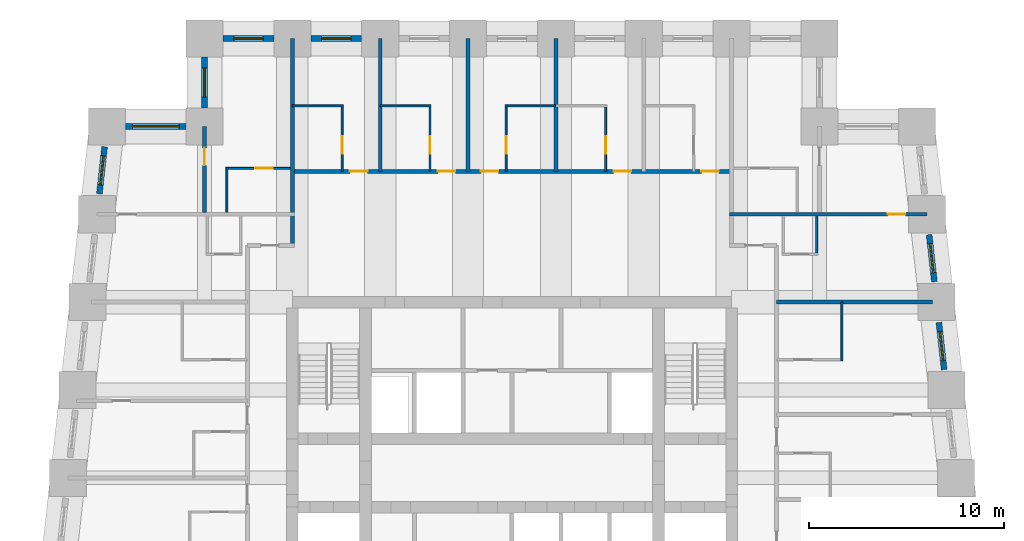
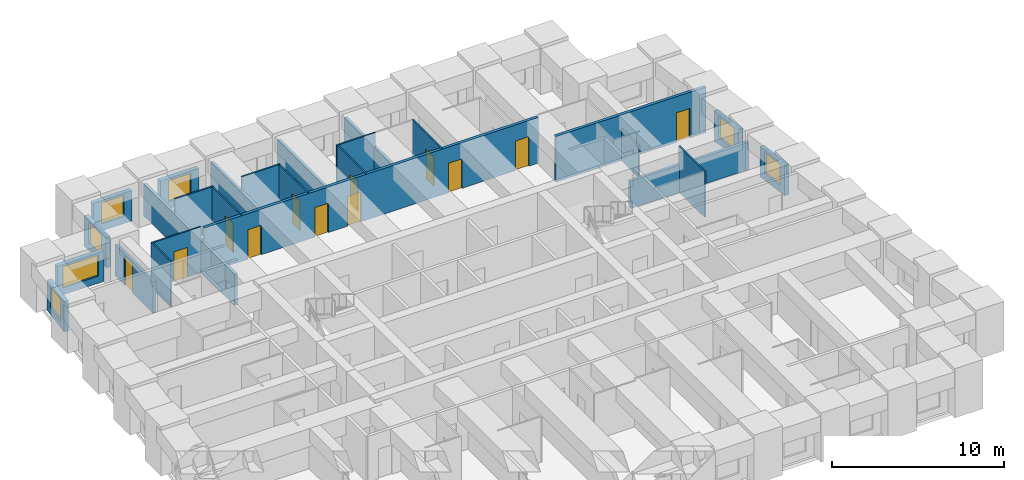
# One storey, part 6 of 8: 26 walls, 12 doors, 7 windows, 19 openings.
"""IFC4 building model written with IfcOpenShell, lengths in metres."""

from ifc_helpers import new_model, si_unit, direction, frame, frame_2d, origin, place, context, subcontext, project, spatial, rectangle, extrude, material, layer, layer_set, type_object, element, fill, save


model = new_model("IFC4")

# Units and contexts
model_context = context("Model", 3, precision=1e-05, world=origin(), true_north=direction((0.0, 1.0)))
body_context = subcontext(model_context, "Body", "Model", "MODEL_VIEW")
ifc_project = project(units=[si_unit("LENGTHUNIT", "METRE"), si_unit("AREAUNIT", "SQUARE_METRE"), si_unit("VOLUMEUNIT", "CUBIC_METRE"), si_unit("PLANEANGLEUNIT", "RADIAN"), si_unit("MASSUNIT", "GRAM", prefix="KILO")], contexts=[model_context])

# Site, building, storey
site_placement = place(None, origin())
site = spatial("IfcSite", under=ifc_project, at=site_placement, CompositionType="ELEMENT")
building_placement = place(site_placement, origin())
building = spatial("IfcBuilding", under=site, at=building_placement, Name="Kilele Tower Hotel", CompositionType="ELEMENT")
storey_placement = place(building_placement, frame((0.0, 0.0, 89.89990234375)))
storey = spatial("IfcBuildingStorey", under=building, at=storey_placement, Name="L22", CompositionType="ELEMENT", Elevation=89.89990234375)

# Walls
ifc_material_1 = material(Name="Moisture-resistant board")
ifc_layer_1 = layer(ifc_material_1, 0.10009765625)
ifc_layer_set_1 = layer_set([ifc_layer_1], Name="Moisture-resistant board")
wall_type_1 = type_object("IfcWallType", Name="Bathroom partition 100", PredefinedType="PLUMBINGWALL", material=ifc_layer_set_1)
wall_1_placement = place(storey_placement, frame((41.64990234375, 24.0, 0.0), z_axis=(0.0, 0.0, 1.0), x_axis=(0.0, 1.0, 0.0)))
element("IfcWall", 1, at=wall_1_placement, inside=storey, type_object=wall_type_1, Name="Bathroom partition 100 L22", PredefinedType="PLUMBINGWALL", context=body_context, shape_type="SweptSolid", body=[
    extrude(rectangle(XDim=3.0, YDim=0.10009765625, at=frame_2d((1.5, 0.0))), origin(), (0.0, 0.0, 1.0), 3.25),
])
wall_2_placement = place(storey_placement, frame((13.5, 37.050048828125, 0.0), z_axis=(0.0, 0.0, 1.0), x_axis=(1.0, 0.0, 0.0)))
element("IfcWall", 2, at=wall_2_placement, inside=storey, type_object=wall_type_1, Name="Bathroom partition 100 L22", PredefinedType="PLUMBINGWALL", context=body_context, shape_type="SweptSolid", body=[
    extrude(rectangle(XDim=2.60009765625, YDim=0.10009765625, at=frame_2d((1.300048828125, 0.0))), origin(), (0.0, 0.0, 1.0), 3.25),
])

# Wall, opening, door
wall_3_placement = place(storey_placement, frame((16.050048828125, 33.699951171875, 0.0), z_axis=(0.0, 0.0, 1.0), x_axis=(0.0, 1.0, 0.0)))
wall_3 = element("IfcWall", 3, at=wall_3_placement, inside=storey, type_object=wall_type_1, Name="Bathroom partition 100 L22", PredefinedType="PLUMBINGWALL", context=body_context, shape_type="SweptSolid", body=[
    extrude(rectangle(XDim=3.400146484375, YDim=0.10009765625, at=frame_2d((1.7001953125, 0.0))), origin(), (0.0, 0.0, 1.0), 3.25),
])
opening_1_placement = place(wall_3_placement, frame((1.7998046875, 0.0, 0.0), z_axis=(0.0, 0.0, 1.0), x_axis=(-1.0, 0.0, 0.0)))
opening_1 = element("IfcOpeningElement", 4, at=opening_1_placement, cuts=wall_3, Name="Opening D2A", PredefinedType="OPENING", context=body_context, shape_type="SweptSolid", body=[
    extrude(rectangle(XDim=0.89990234375, YDim=2.10009765625, at=frame_2d((0.449951171875, 1.050048828125))), frame((0.0, 0.06005859375, 0.0), z_axis=(0.0, -1.0, 0.0), x_axis=(1.0, 0.0, 0.0)), (0.0, 0.0, 1.0), 0.1201171875),
])
ifc_material_2 = material(Name="Timber door leaf in hardwood frame", Category="wood")
door_type_1 = type_object("IfcDoorType", Name="Bathroom door 900", OperationType="SINGLE_SWING_LEFT", PredefinedType="DOOR", material=ifc_material_2)
door_1_placement = place(opening_1_placement, origin())
door_1 = element("IfcDoor", 5, at=door_1_placement, inside=storey, type_object=door_type_1, Name="Bathroom door 2209B", OperationType="SINGLE_SWING_RIGHT", OverallHeight=2.10009765625, OverallWidth=0.89990234375, PredefinedType="DOOR", context=body_context, shape_type="SweptSolid", body=[
    extrude(rectangle(XDim=0.89990234375, YDim=2.10009765625, at=frame_2d((0.449951171875, 1.050048828125))), frame((0.0, 0.02490234375, 0.0), z_axis=(0.0, -1.0, 0.0), x_axis=(1.0, 0.0, 0.0)), (0.0, 0.0, 1.0), 0.050048828125),
])
fill(opening_1, door_1)

# Wall
wall_4_placement = place(storey_placement, frame((18.0, 37.050048828125, 0.0), z_axis=(0.0, 0.0, 1.0), x_axis=(1.0, 0.0, 0.0)))
element("IfcWall", 6, at=wall_4_placement, inside=storey, type_object=wall_type_1, Name="Bathroom partition 100 L22", PredefinedType="PLUMBINGWALL", context=body_context, shape_type="SweptSolid", body=[
    extrude(rectangle(XDim=2.60009765625, YDim=0.10009765625, at=frame_2d((1.300048828125, 0.0))), origin(), (0.0, 0.0, 1.0), 3.25),
])

# Wall, opening, door
wall_5_placement = place(storey_placement, frame((20.550048828125, 33.699951171875, 0.0), z_axis=(0.0, 0.0, 1.0), x_axis=(0.0, 1.0, 0.0)))
wall_5 = element("IfcWall", 7, at=wall_5_placement, inside=storey, type_object=wall_type_1, Name="Bathroom partition 100 L22", PredefinedType="PLUMBINGWALL", context=body_context, shape_type="SweptSolid", body=[
    extrude(rectangle(XDim=3.400146484375, YDim=0.10009765625, at=frame_2d((1.7001953125, 0.0))), origin(), (0.0, 0.0, 1.0), 3.25),
])
opening_2_placement = place(wall_5_placement, frame((1.7998046875, 0.0, 0.0), z_axis=(0.0, 0.0, 1.0), x_axis=(-1.0, 0.0, 0.0)))
opening_2 = element("IfcOpeningElement", 8, at=opening_2_placement, cuts=wall_5, Name="Opening D2A", PredefinedType="OPENING", context=body_context, shape_type="SweptSolid", body=[
    extrude(rectangle(XDim=0.89990234375, YDim=2.10009765625, at=frame_2d((0.449951171875, 1.050048828125))), frame((0.0, 0.06005859375, 0.0), z_axis=(0.0, -1.0, 0.0), x_axis=(1.0, 0.0, 0.0)), (0.0, 0.0, 1.0), 0.1201171875),
])
door_2_placement = place(opening_2_placement, origin())
door_2 = element("IfcDoor", 9, at=door_2_placement, inside=storey, type_object=door_type_1, Name="Bathroom door 2210B", OperationType="SINGLE_SWING_RIGHT", OverallHeight=2.10009765625, OverallWidth=0.89990234375, PredefinedType="DOOR", context=body_context, shape_type="SweptSolid", body=[
    extrude(rectangle(XDim=0.89990234375, YDim=2.10009765625, at=frame_2d((0.449951171875, 1.050048828125))), frame((0.0, 0.02490234375, 0.0), z_axis=(0.0, -1.0, 0.0), x_axis=(1.0, 0.0, 0.0)), (0.0, 0.0, 1.0), 0.050048828125),
])
fill(opening_2, door_2)

# Wall
wall_6_placement = place(storey_placement, frame((24.39990234375, 37.050048828125, 0.0), z_axis=(0.0, 0.0, 1.0), x_axis=(1.0, 0.0, 0.0)))
element("IfcWall", 10, at=wall_6_placement, inside=storey, type_object=wall_type_1, Name="Bathroom partition 100 L22", PredefinedType="PLUMBINGWALL", context=body_context, shape_type="SweptSolid", body=[
    extrude(rectangle(XDim=2.60009765625, YDim=0.10009765625, at=frame_2d((1.300048828125, 0.0))), origin(), (0.0, 0.0, 1.0), 3.25),
])

# Wall, opening, door
wall_7_placement = place(storey_placement, frame((24.449951171875, 33.699951171875, 0.0), z_axis=(0.0, 0.0, 1.0), x_axis=(0.0, 1.0, 0.0)))
wall_7 = element("IfcWall", 11, at=wall_7_placement, inside=storey, type_object=wall_type_1, Name="Bathroom partition 100 L22", PredefinedType="PLUMBINGWALL", context=body_context, shape_type="SweptSolid", body=[
    extrude(rectangle(XDim=3.400146484375, YDim=0.10009765625, at=frame_2d((1.7001953125, 0.0))), origin(), (0.0, 0.0, 1.0), 3.25),
])
opening_3_placement = place(wall_7_placement, frame((0.89990234375, 0.0, 0.0)))
opening_3 = element("IfcOpeningElement", 12, at=opening_3_placement, cuts=wall_7, Name="Opening D2A", PredefinedType="OPENING", context=body_context, shape_type="SweptSolid", body=[
    extrude(rectangle(XDim=0.89990234375, YDim=2.10009765625, at=frame_2d((0.449951171875, 1.050048828125))), frame((0.0, 0.06005859375, 0.0), z_axis=(0.0, -1.0, 0.0), x_axis=(1.0, 0.0, 0.0)), (0.0, 0.0, 1.0), 0.1201171875),
])
door_3_placement = place(opening_3_placement, origin())
door_3 = element("IfcDoor", 13, at=door_3_placement, inside=storey, type_object=door_type_1, Name="Bathroom door 2211B", OperationType="SINGLE_SWING_LEFT", OverallHeight=2.10009765625, OverallWidth=0.89990234375, PredefinedType="DOOR", context=body_context, shape_type="SweptSolid", body=[
    extrude(rectangle(XDim=0.89990234375, YDim=2.10009765625, at=frame_2d((0.449951171875, 1.050048828125))), frame((0.0, 0.02490234375, 0.0), z_axis=(0.0, -1.0, 0.0), x_axis=(1.0, 0.0, 0.0)), (0.0, 0.0, 1.0), 0.050048828125),
])
fill(opening_3, door_3)

wall_8_placement = place(storey_placement, frame((29.550048828125, 33.699951171875, 0.0), z_axis=(0.0, 0.0, 1.0), x_axis=(0.0, 1.0, 0.0)))
wall_8 = element("IfcWall", 14, at=wall_8_placement, inside=storey, type_object=wall_type_1, Name="Bathroom partition 100 L22", PredefinedType="PLUMBINGWALL", context=body_context, shape_type="SweptSolid", body=[
    extrude(rectangle(XDim=3.400146484375, YDim=0.10009765625, at=frame_2d((1.7001953125, 0.0))), origin(), (0.0, 0.0, 1.0), 3.25),
])
opening_4_placement = place(wall_8_placement, frame((1.7998046875, 0.0, 0.0), z_axis=(0.0, 0.0, 1.0), x_axis=(-1.0, 0.0, 0.0)))
opening_4 = element("IfcOpeningElement", 15, at=opening_4_placement, cuts=wall_8, Name="Opening D2A", PredefinedType="OPENING", context=body_context, shape_type="SweptSolid", body=[
    extrude(rectangle(XDim=0.89990234375, YDim=2.10009765625, at=frame_2d((0.449951171875, 1.050048828125))), frame((0.0, 0.06005859375, 0.0), z_axis=(0.0, -1.0, 0.0), x_axis=(1.0, 0.0, 0.0)), (0.0, 0.0, 1.0), 0.1201171875),
])
door_4_placement = place(opening_4_placement, origin())
door_4 = element("IfcDoor", 16, at=door_4_placement, inside=storey, type_object=door_type_1, Name="Bathroom door 2212B", OperationType="SINGLE_SWING_RIGHT", OverallHeight=2.10009765625, OverallWidth=0.89990234375, PredefinedType="DOOR", context=body_context, shape_type="SweptSolid", body=[
    extrude(rectangle(XDim=0.89990234375, YDim=2.10009765625, at=frame_2d((0.449951171875, 1.050048828125))), frame((0.0, 0.02490234375, 0.0), z_axis=(0.0, -1.0, 0.0), x_axis=(1.0, 0.0, 0.0)), (0.0, 0.0, 1.0), 0.050048828125),
])
fill(opening_4, door_4)

# Walls
wall_9_placement = place(storey_placement, frame((40.35009765625, 31.39990234375, 0.0), z_axis=(0.0, 0.0, 1.0), x_axis=(0.0, -1.0, 0.0)))
element("IfcWall", 17, at=wall_9_placement, inside=storey, type_object=wall_type_1, Name="Bathroom partition 100 L22", PredefinedType="PLUMBINGWALL", context=body_context, shape_type="SweptSolid", body=[
    extrude(rectangle(XDim=2.0, YDim=0.10009765625, at=frame_2d((1.0, 0.0))), origin(), (0.0, 0.0, 1.0), 2.25),
])
wall_10_placement = place(storey_placement, frame((10.14990234375, 31.60009765625, 0.0), z_axis=(0.0, 0.0, 1.0), x_axis=(0.0, 1.0, 0.0)))
element("IfcWall", 18, at=wall_10_placement, inside=storey, type_object=wall_type_1, Name="Bathroom partition 100 L22", PredefinedType="PLUMBINGWALL", context=body_context, shape_type="SweptSolid", body=[
    extrude(rectangle(XDim=2.2998046875, YDim=0.10009765625, at=frame_2d((1.14990234375, 0.0))), origin(), (0.0, 0.0, 1.0), 3.25),
])

# Wall, opening, door
wall_11_placement = place(storey_placement, frame((13.39990234375, 33.85009765625, 0.0), z_axis=(0.0, 0.0, 1.0), x_axis=(-1.0, 0.0, 0.0)))
wall_11 = element("IfcWall", 19, at=wall_11_placement, inside=storey, type_object=wall_type_1, Name="Bathroom partition 100 L22", PredefinedType="PLUMBINGWALL", context=body_context, shape_type="SweptSolid", body=[
    extrude(rectangle(XDim=3.2998046875, YDim=0.10009765625, at=frame_2d((1.64990234375, 0.0))), origin(), (0.0, 0.0, 1.0), 3.25),
])
opening_5_placement = place(wall_11_placement, frame((1.7998046875, 0.0, 0.0), z_axis=(0.0, 0.0, 1.0), x_axis=(-1.0, 0.0, 0.0)))
opening_5 = element("IfcOpeningElement", 20, at=opening_5_placement, cuts=wall_11, Name="Opening D2A", PredefinedType="OPENING", context=body_context, shape_type="SweptSolid", body=[
    extrude(rectangle(XDim=0.89990234375, YDim=2.10009765625, at=frame_2d((0.449951171875, 1.050048828125))), frame((0.0, 0.06005859375, 0.0), z_axis=(0.0, -1.0, 0.0), x_axis=(1.0, 0.0, 0.0)), (0.0, 0.0, 1.0), 0.1201171875),
])
door_5_placement = place(opening_5_placement, origin())
door_5 = element("IfcDoor", 21, at=door_5_placement, inside=storey, type_object=door_type_1, Name="Bathroom door 2227B", OperationType="SINGLE_SWING_RIGHT", OverallHeight=2.10009765625, OverallWidth=0.89990234375, PredefinedType="DOOR", context=body_context, shape_type="SweptSolid", body=[
    extrude(rectangle(XDim=0.89990234375, YDim=2.10009765625, at=frame_2d((0.449951171875, 1.050048828125))), frame((0.0, 0.02490234375, 0.0), z_axis=(0.0, -1.0, 0.0), x_axis=(1.0, 0.0, 0.0)), (0.0, 0.0, 1.0), 0.050048828125),
])
fill(opening_5, door_5)

# Wall, openings, doors
ifc_material_3 = material(Name="Blockwork, plastered both sides", Category="masonry")
ifc_layer_2 = layer(ifc_material_3, 0.199951171875)
ifc_layer_set_2 = layer_set([ifc_layer_2], Name="Blockwork, plastered both sides")
wall_type_2 = type_object("IfcWallType", Name="Corridor wall 200", PredefinedType="PARTITIONING", material=ifc_layer_set_2)
wall_12_placement = place(storey_placement, frame((13.5, 33.699951171875, 0.0), z_axis=(0.0, 0.0, 1.0), x_axis=(1.0, 0.0, 0.0)))
wall_12 = element("IfcWall", 22, at=wall_12_placement, inside=storey, type_object=wall_type_2, Name="Corridor wall 200 L22", PredefinedType="PARTITIONING", context=body_context, shape_type="SweptSolid", body=[
    extrude(rectangle(XDim=22.5, YDim=0.199951171875, at=frame_2d((11.25, 0.0))), origin(), (0.0, 0.0, 1.0), 3.25),
])
opening_6_placement = place(wall_12_placement, frame((2.949951171875, 0.0, 0.0)))
opening_6 = element("IfcOpeningElement", 23, at=opening_6_placement, cuts=wall_12, Name="Opening D1", PredefinedType="OPENING", context=body_context, shape_type="SweptSolid", body=[
    extrude(rectangle(XDim=0.89990234375, YDim=2.10009765625, at=frame_2d((0.449951171875, 1.050048828125))), frame((0.0, 0.10986328125, 0.0), z_axis=(0.0, -1.0, 0.0), x_axis=(1.0, 0.0, 0.0)), (0.0, 0.0, 1.0), 0.219970703125),
])
opening_7_placement = place(wall_12_placement, frame((7.449951171875, 0.0, 0.0)))
opening_7 = element("IfcOpeningElement", 24, at=opening_7_placement, cuts=wall_12, Name="Opening D1", PredefinedType="OPENING", context=body_context, shape_type="SweptSolid", body=[
    extrude(rectangle(XDim=0.89990234375, YDim=2.10009765625, at=frame_2d((0.449951171875, 1.050048828125))), frame((0.0, 0.10986328125, 0.0), z_axis=(0.0, -1.0, 0.0), x_axis=(1.0, 0.0, 0.0)), (0.0, 0.0, 1.0), 0.219970703125),
])
opening_8_placement = place(wall_12_placement, frame((9.64990234375, 0.0, 0.0)))
opening_8 = element("IfcOpeningElement", 25, at=opening_8_placement, cuts=wall_12, Name="Opening D1", PredefinedType="OPENING", context=body_context, shape_type="SweptSolid", body=[
    extrude(rectangle(XDim=0.89990234375, YDim=2.10009765625, at=frame_2d((0.449951171875, 1.050048828125))), frame((0.0, 0.10986328125, 0.0), z_axis=(0.0, -1.0, 0.0), x_axis=(1.0, 0.0, 0.0)), (0.0, 0.0, 1.0), 0.219970703125),
])
opening_9_placement = place(wall_12_placement, frame((16.449951171875, 0.0, 0.0)))
opening_9 = element("IfcOpeningElement", 26, at=opening_9_placement, cuts=wall_12, Name="Opening D1", PredefinedType="OPENING", context=body_context, shape_type="SweptSolid", body=[
    extrude(rectangle(XDim=0.89990234375, YDim=2.10009765625, at=frame_2d((0.449951171875, 1.050048828125))), frame((0.0, 0.10986328125, 0.0), z_axis=(0.0, -1.0, 0.0), x_axis=(1.0, 0.0, 0.0)), (0.0, 0.0, 1.0), 0.219970703125),
])
opening_10_placement = place(wall_12_placement, frame((20.949951171875, 0.0, 0.0)))
opening_10 = element("IfcOpeningElement", 27, at=opening_10_placement, cuts=wall_12, Name="Opening D1", PredefinedType="OPENING", context=body_context, shape_type="SweptSolid", body=[
    extrude(rectangle(XDim=0.89990234375, YDim=2.10009765625, at=frame_2d((0.449951171875, 1.050048828125))), frame((0.0, 0.10986328125, 0.0), z_axis=(0.0, -1.0, 0.0), x_axis=(1.0, 0.0, 0.0)), (0.0, 0.0, 1.0), 0.219970703125),
])
ifc_material_4 = material(Name="Timber door leaf in hardwood frame", Category="wood")
door_type_2 = type_object("IfcDoorType", Name="Guest room entrance door 900", OperationType="SINGLE_SWING_LEFT", PredefinedType="DOOR", material=ifc_material_4)
door_6_placement = place(opening_6_placement, origin())
door_6 = element("IfcDoor", 28, at=door_6_placement, inside=storey, type_object=door_type_2, Name="Room entrance 2209", OperationType="SINGLE_SWING_LEFT", OverallHeight=2.10009765625, OverallWidth=0.89990234375, PredefinedType="DOOR", context=body_context, shape_type="SweptSolid", body=[
    extrude(rectangle(XDim=0.89990234375, YDim=2.10009765625, at=frame_2d((0.449951171875, 1.050048828125))), frame((0.0, 0.02490234375, 0.0), z_axis=(0.0, -1.0, 0.0), x_axis=(1.0, 0.0, 0.0)), (0.0, 0.0, 1.0), 0.050048828125),
])
fill(opening_6, door_6)
door_7_placement = place(opening_7_placement, origin())
door_7 = element("IfcDoor", 29, at=door_7_placement, inside=storey, type_object=door_type_2, Name="Room entrance 2210", OperationType="SINGLE_SWING_LEFT", OverallHeight=2.10009765625, OverallWidth=0.89990234375, PredefinedType="DOOR", context=body_context, shape_type="SweptSolid", body=[
    extrude(rectangle(XDim=0.89990234375, YDim=2.10009765625, at=frame_2d((0.449951171875, 1.050048828125))), frame((0.0, 0.02490234375, 0.0), z_axis=(0.0, -1.0, 0.0), x_axis=(1.0, 0.0, 0.0)), (0.0, 0.0, 1.0), 0.050048828125),
])
fill(opening_7, door_7)
door_8_placement = place(opening_8_placement, origin())
door_8 = element("IfcDoor", 30, at=door_8_placement, inside=storey, type_object=door_type_2, Name="Room entrance 2211", OperationType="SINGLE_SWING_RIGHT", OverallHeight=2.10009765625, OverallWidth=0.89990234375, PredefinedType="DOOR", context=body_context, shape_type="SweptSolid", body=[
    extrude(rectangle(XDim=0.89990234375, YDim=2.10009765625, at=frame_2d((0.449951171875, 1.050048828125))), frame((0.0, 0.02490234375, 0.0), z_axis=(0.0, -1.0, 0.0), x_axis=(1.0, 0.0, 0.0)), (0.0, 0.0, 1.0), 0.050048828125),
])
fill(opening_8, door_8)
door_9_placement = place(opening_9_placement, origin())
door_9 = element("IfcDoor", 31, at=door_9_placement, inside=storey, type_object=door_type_2, Name="Room entrance 2212", OperationType="SINGLE_SWING_LEFT", OverallHeight=2.10009765625, OverallWidth=0.89990234375, PredefinedType="DOOR", context=body_context, shape_type="SweptSolid", body=[
    extrude(rectangle(XDim=0.89990234375, YDim=2.10009765625, at=frame_2d((0.449951171875, 1.050048828125))), frame((0.0, 0.02490234375, 0.0), z_axis=(0.0, -1.0, 0.0), x_axis=(1.0, 0.0, 0.0)), (0.0, 0.0, 1.0), 0.050048828125),
])
fill(opening_9, door_9)
door_10_placement = place(opening_10_placement, origin())
door_10 = element("IfcDoor", 32, at=door_10_placement, inside=storey, type_object=door_type_2, Name="Room entrance 2213", OperationType="SINGLE_SWING_LEFT", OverallHeight=2.10009765625, OverallWidth=0.89990234375, PredefinedType="DOOR", context=body_context, shape_type="SweptSolid", body=[
    extrude(rectangle(XDim=0.89990234375, YDim=2.10009765625, at=frame_2d((0.449951171875, 1.050048828125))), frame((0.0, 0.02490234375, 0.0), z_axis=(0.0, -1.0, 0.0), x_axis=(1.0, 0.0, 0.0)), (0.0, 0.0, 1.0), 0.050048828125),
])
fill(opening_10, door_10)

# Wall, opening, door
ifc_material_5 = material(Name="Blockwork, plastered both sides", Category="masonry")
ifc_layer_3 = layer(ifc_material_5, 0.199951171875)
ifc_layer_set_3 = layer_set([ifc_layer_3], Name="Blockwork, plastered both sides")
wall_type_3 = type_object("IfcWallType", Name="Partition wall 200", PredefinedType="PARTITIONING", material=ifc_layer_set_3)
wall_13_placement = place(storey_placement, frame((9.0, 31.60009765625, 0.0), z_axis=(0.0, 0.0, 1.0), x_axis=(0.0, 1.0, 0.0)))
wall_13 = element("IfcWall", 33, at=wall_13_placement, inside=storey, type_object=wall_type_3, Name="Partition wall 200 L22", PredefinedType="PARTITIONING", context=body_context, shape_type="SweptSolid", body=[
    extrude(rectangle(XDim=4.39990234375, YDim=0.199951171875, at=frame_2d((2.199951171875, 0.0))), origin(), (0.0, 0.0, 1.0), 2.25),
])
opening_11_placement = place(wall_13_placement, frame((2.39990234375, 0.0, 0.0)))
opening_11 = element("IfcOpeningElement", 34, at=opening_11_placement, cuts=wall_13, Name="Opening D3", PredefinedType="OPENING", context=body_context, shape_type="SweptSolid", body=[
    extrude(rectangle(XDim=0.89990234375, YDim=2.10009765625, at=frame_2d((0.449951171875, 1.050048828125))), frame((0.0, 0.10986328125, 0.0), z_axis=(0.0, -1.0, 0.0), x_axis=(1.0, 0.0, 0.0)), (0.0, 0.0, 1.0), 0.219970703125),
])
ifc_material_6 = material(Name="Timber door leaf in hardwood frame", Category="wood")
door_type_3 = type_object("IfcDoorType", Name="Suite internal door 900", OperationType="SINGLE_SWING_LEFT", PredefinedType="DOOR", material=ifc_material_6)
door_11_placement = place(opening_11_placement, origin())
door_11 = element("IfcDoor", 35, at=door_11_placement, inside=storey, type_object=door_type_3, Name="Suite door 2228", OperationType="SINGLE_SWING_RIGHT", OverallHeight=2.10009765625, OverallWidth=0.89990234375, PredefinedType="DOOR", context=body_context, shape_type="SweptSolid", body=[
    extrude(rectangle(XDim=0.89990234375, YDim=2.10009765625, at=frame_2d((0.449951171875, 1.050048828125))), frame((0.0, 0.02490234375, 0.0), z_axis=(0.0, -1.0, 0.0), x_axis=(1.0, 0.0, 0.0)), (0.0, 0.0, 1.0), 0.050048828125),
])
fill(opening_11, door_11)

# Walls
ifc_material_7 = material(Name="Blockwork, plastered both sides", Category="masonry")
ifc_layer_4 = layer(ifc_material_7, 0.199951171875)
ifc_layer_set_4 = layer_set([ifc_layer_4], Name="Blockwork, plastered both sides")
wall_type_4 = type_object("IfcWallType", Name="Party wall 200", PredefinedType="PARTITIONING", material=ifc_layer_set_4)
for number, where, z_axis, x_axis, name in (
    (36, (18.0, 33.699951171875, 0.0), (0.0, 0.0, 1.0), (0.0, 1.0, 0.0), "Party wall 200 L22"),
    (37, (22.5, 33.699951171875, 0.0), (0.0, 0.0, 1.0), (0.0, 1.0, 0.0), "Party wall 200 L22"),
    (38, (27.0, 33.699951171875, 0.0), (0.0, 0.0, 1.0), (0.0, 1.0, 0.0), "Party wall 200 L22"),
):
    element("IfcWall", number, at=place(storey_placement, frame(where, z_axis=z_axis, x_axis=x_axis)), inside=storey, type_object=wall_type_4, Name=name, PredefinedType="PARTITIONING", context=body_context, shape_type="SweptSolid", body=[
        extrude(rectangle(XDim=6.800048828125, YDim=0.199951171875, at=frame_2d((3.39990234375, 0.0))), origin(), (0.0, 0.0, 1.0), 2.25),
    ])
wall_14_placement = place(storey_placement, frame((38.300048828125, 27.0, 0.0), z_axis=(0.0, 0.0, 1.0), x_axis=(1.0, 0.0, 0.0)))
element("IfcWall", 39, at=wall_14_placement, inside=storey, type_object=wall_type_4, Name="Party wall 200 L22", PredefinedType="PARTITIONING", context=body_context, shape_type="SweptSolid", body=[
    extrude(rectangle(XDim=7.976806640625, YDim=0.199951171875, at=frame_2d((3.98828125, 0.0))), origin(), (0.0, 0.0, 1.0), 1.9501953125),
])

# Wall, opening, door
wall_15_placement = place(storey_placement, frame((35.89990234375, 31.5, 0.0), z_axis=(0.0, 0.0, 1.0), x_axis=(1.0, 0.0, 0.0)))
wall_15 = element("IfcWall", 40, at=wall_15_placement, inside=storey, type_object=wall_type_4, Name="Party wall 200 L22", PredefinedType="PARTITIONING", context=body_context, shape_type="SweptSolid", body=[
    extrude(rectangle(XDim=10.09912109375, YDim=0.199951171875, at=frame_2d((5.049560546875, 0.0))), origin(), (0.0, 0.0, 1.0), 3.25),
])
opening_12_placement = place(wall_15_placement, frame((8.09912109375, 0.0, 0.0)))
opening_12 = element("IfcOpeningElement", 41, at=opening_12_placement, cuts=wall_15, Name="Opening D3", PredefinedType="OPENING", context=body_context, shape_type="SweptSolid", body=[
    extrude(rectangle(XDim=0.89990234375, YDim=2.10009765625, at=frame_2d((0.449951171875, 1.050048828125))), frame((0.0, 0.10986328125, 0.0), z_axis=(0.0, -1.0, 0.0), x_axis=(1.0, 0.0, 0.0)), (0.0, 0.0, 1.0), 0.219970703125),
])
door_12_placement = place(opening_12_placement, origin())
door_12 = element("IfcDoor", 42, at=door_12_placement, inside=storey, type_object=door_type_3, Name="Suite door 2224", OperationType="SINGLE_SWING_RIGHT", OverallHeight=2.10009765625, OverallWidth=0.89990234375, PredefinedType="DOOR", context=body_context, shape_type="SweptSolid", body=[
    extrude(rectangle(XDim=0.89990234375, YDim=2.10009765625, at=frame_2d((0.449951171875, 1.050048828125))), frame((0.0, 0.02490234375, 0.0), z_axis=(0.0, -1.0, 0.0), x_axis=(1.0, 0.0, 0.0)), (0.0, 0.0, 1.0), 0.050048828125),
])
fill(opening_12, door_12)

# Wall
wall_16_placement = place(storey_placement, frame((13.5, 29.89990234375, 0.0), z_axis=(0.0, 0.0, 1.0), x_axis=(0.0, 1.0, 0.0)))
element("IfcWall", 43, at=wall_16_placement, inside=storey, type_object=wall_type_4, Name="Party wall 200 L22", PredefinedType="PARTITIONING", context=body_context, shape_type="SweptSolid", body=[
    extrude(rectangle(XDim=10.60009765625, YDim=0.199951171875, at=frame_2d((5.300048828125, 0.0))), origin(), (0.0, 0.0, 1.0), 2.25),
])

# Wall, opening, window
ifc_material_8 = material(Name="Concrete C40/50 precast", Category="concrete")
ifc_layer_5 = layer(ifc_material_8, 0.260009765625, Name="Precast backing", Category="LoadBearing")
ifc_material_9 = material(Name="Reconstituted stone finish", Category="masonry")
ifc_layer_6 = layer(ifc_material_9, 0.0400390625, Name="Face mix", Category="Finish")
ifc_layer_set_5 = layer_set([ifc_layer_5, ifc_layer_6], Name="Precast concrete C40/50, reconstituted stone finish")
wall_type_5 = type_object("IfcWallType", Name="Precast stone facade wall 300", PredefinedType="STANDARD", material=ifc_layer_set_5)
wall_17_placement = place(storey_placement, frame((46.884033203125, 23.542724609375, 0.0), z_axis=(0.0, 0.0, 1.0), x_axis=(-0.110343286306, 0.993893535127, 0.0)))
wall_17 = element("IfcWall", 44, at=wall_17_placement, inside=storey, type_object=wall_type_5, Name="Facade wall L22 edge 6 bay 5", PredefinedType="STANDARD", context=body_context, shape_type="SweptSolid", body=[
    extrude(rectangle(XDim=2.429443359375, YDim=0.300048828125, at=frame_2d((1.21484375, 0.0))), origin(), (0.0, 0.0, 1.0), 2.150146484375),
])
opening_13_placement = place(wall_17_placement, frame((0.465087890625, 0.0, 0.5)))
opening_13 = element("IfcOpeningElement", 45, at=opening_13_placement, cuts=wall_17, Name="Opening W2", PredefinedType="OPENING", context=body_context, shape_type="SweptSolid", body=[
    extrude(rectangle(XDim=1.5, YDim=1.5, at=frame_2d((0.75, 0.75))), frame((0.0, 0.159912109375, 0.0), z_axis=(0.0, -1.0, 0.0), x_axis=(1.0, 0.0, 0.0)), (0.0, 0.0, 1.0), 0.320068359375),
])
ifc_material_10 = material(Name="Aluminium frame, clear double glazing", Category="aluminium")
window_type_1 = type_object("IfcWindowType", Name="Window W2 1500 x 1500", PartitioningType="SINGLE_PANEL", PredefinedType="WINDOW", material=ifc_material_10)
window_1_placement = place(opening_13_placement, origin())
window_1 = element("IfcWindow", 46, at=window_1_placement, inside=storey, type_object=window_type_1, Name="Window L22", OverallHeight=1.5, OverallWidth=1.5, PartitioningType="SINGLE_PANEL", PredefinedType="WINDOW", context=body_context, shape_type="SweptSolid", body=[
    extrude(rectangle(XDim=1.5, YDim=1.5, at=frame_2d((0.75, 0.75))), frame((0.0, 0.030029296875, 0.0), z_axis=(0.0, -1.0, 0.0), x_axis=(1.0, 0.0, 0.0)), (0.0, 0.0, 1.0), 0.06005859375),
])
fill(opening_13, window_1)

wall_18_placement = place(storey_placement, frame((46.384033203125, 28.042724609375, 0.0), z_axis=(0.0, 0.0, 1.0), x_axis=(-0.110343286306, 0.993893535127, 0.0)))
wall_18 = element("IfcWall", 47, at=wall_18_placement, inside=storey, type_object=wall_type_5, Name="Facade wall L22 edge 6 bay 6", PredefinedType="STANDARD", context=body_context, shape_type="SweptSolid", body=[
    extrude(rectangle(XDim=2.429443359375, YDim=0.300048828125, at=frame_2d((1.21484375, 0.0))), origin(), (0.0, 0.0, 1.0), 2.150146484375),
])
opening_14_placement = place(wall_18_placement, frame((0.46435546875, 0.0, 0.5)))
opening_14 = element("IfcOpeningElement", 48, at=opening_14_placement, cuts=wall_18, Name="Opening W2", PredefinedType="OPENING", context=body_context, shape_type="SweptSolid", body=[
    extrude(rectangle(XDim=1.5, YDim=1.5, at=frame_2d((0.75, 0.75))), frame((0.0, 0.159912109375, 0.0), z_axis=(0.0, -1.0, 0.0), x_axis=(1.0, 0.0, 0.0)), (0.0, 0.0, 1.0), 0.320068359375),
])
window_2_placement = place(opening_14_placement, origin())
window_2 = element("IfcWindow", 49, at=window_2_placement, inside=storey, type_object=window_type_1, Name="Window L22", OverallHeight=1.5, OverallWidth=1.5, PartitioningType="SINGLE_PANEL", PredefinedType="WINDOW", context=body_context, shape_type="SweptSolid", body=[
    extrude(rectangle(XDim=1.5, YDim=1.5, at=frame_2d((0.75, 0.75))), frame((0.0, 0.030029296875, 0.0), z_axis=(0.0, -1.0, 0.0), x_axis=(1.0, 0.0, 0.0)), (0.0, 0.0, 1.0), 0.06005859375),
])
fill(opening_14, window_2)

wall_19_placement = place(storey_placement, frame((17.050048828125, 40.5, 0.0), z_axis=(0.0, 0.0, 1.0), x_axis=(-1.0, 0.0, 0.0)))
wall_19 = element("IfcWall", 50, at=wall_19_placement, inside=storey, type_object=wall_type_5, Name="Facade wall L22 edge 9 bay 6", PredefinedType="STANDARD", context=body_context, shape_type="SweptSolid", body=[
    extrude(rectangle(XDim=2.60009765625, YDim=0.300048828125, at=frame_2d((1.300048828125, 0.0))), origin(), (0.0, 0.0, 1.0), 2.150146484375),
])
opening_15_placement = place(wall_19_placement, frame((0.550048828125, 0.0, 0.5)))
opening_15 = element("IfcOpeningElement", 51, at=opening_15_placement, cuts=wall_19, Name="Opening W2", PredefinedType="OPENING", context=body_context, shape_type="SweptSolid", body=[
    extrude(rectangle(XDim=1.5, YDim=1.5, at=frame_2d((0.75, 0.75))), frame((0.0, 0.159912109375, 0.0), z_axis=(0.0, -1.0, 0.0), x_axis=(1.0, 0.0, 0.0)), (0.0, 0.0, 1.0), 0.320068359375),
])
window_3_placement = place(opening_15_placement, origin())
window_3 = element("IfcWindow", 52, at=window_3_placement, inside=storey, type_object=window_type_1, Name="Window L22", OverallHeight=1.5, OverallWidth=1.5, PartitioningType="SINGLE_PANEL", PredefinedType="WINDOW", context=body_context, shape_type="SweptSolid", body=[
    extrude(rectangle(XDim=1.5, YDim=1.5, at=frame_2d((0.75, 0.75))), frame((0.0, 0.030029296875, 0.0), z_axis=(0.0, -1.0, 0.0), x_axis=(1.0, 0.0, 0.0)), (0.0, 0.0, 1.0), 0.06005859375),
])
fill(opening_15, window_3)

wall_20_placement = place(storey_placement, frame((12.550048828125, 40.5, 0.0), z_axis=(0.0, 0.0, 1.0), x_axis=(-1.0, 0.0, 0.0)))
wall_20 = element("IfcWall", 53, at=wall_20_placement, inside=storey, type_object=wall_type_5, Name="Facade wall L22 edge 9 bay 7", PredefinedType="STANDARD", context=body_context, shape_type="SweptSolid", body=[
    extrude(rectangle(XDim=2.60009765625, YDim=0.300048828125, at=frame_2d((1.300048828125, 0.0))), origin(), (0.0, 0.0, 1.0), 2.150146484375),
])
opening_16_placement = place(wall_20_placement, frame((0.550048828125, 0.0, 0.5)))
opening_16 = element("IfcOpeningElement", 54, at=opening_16_placement, cuts=wall_20, Name="Opening W2", PredefinedType="OPENING", context=body_context, shape_type="SweptSolid", body=[
    extrude(rectangle(XDim=1.5, YDim=1.5, at=frame_2d((0.75, 0.75))), frame((0.0, 0.159912109375, 0.0), z_axis=(0.0, -1.0, 0.0), x_axis=(1.0, 0.0, 0.0)), (0.0, 0.0, 1.0), 0.320068359375),
])
window_4_placement = place(opening_16_placement, origin())
window_4 = element("IfcWindow", 55, at=window_4_placement, inside=storey, type_object=window_type_1, Name="Window L22", OverallHeight=1.5, OverallWidth=1.5, PartitioningType="SINGLE_PANEL", PredefinedType="WINDOW", context=body_context, shape_type="SweptSolid", body=[
    extrude(rectangle(XDim=1.5, YDim=1.5, at=frame_2d((0.75, 0.75))), frame((0.0, 0.030029296875, 0.0), z_axis=(0.0, -1.0, 0.0), x_axis=(1.0, 0.0, 0.0)), (0.0, 0.0, 1.0), 0.06005859375),
])
fill(opening_16, window_4)

wall_21_placement = place(storey_placement, frame((9.0, 39.550048828125, 0.0), z_axis=(0.0, 0.0, 1.0), x_axis=(0.0, -1.0, 0.0)))
wall_21 = element("IfcWall", 56, at=wall_21_placement, inside=storey, type_object=wall_type_5, Name="Facade wall L22 edge 10 bay 1", PredefinedType="STANDARD", context=body_context, shape_type="SweptSolid", body=[
    extrude(rectangle(XDim=2.60009765625, YDim=0.300048828125, at=frame_2d((1.300048828125, 0.0))), origin(), (0.0, 0.0, 1.0), 2.150146484375),
])
opening_17_placement = place(wall_21_placement, frame((0.550048828125, 0.0, 0.5)))
opening_17 = element("IfcOpeningElement", 57, at=opening_17_placement, cuts=wall_21, Name="Opening W2", PredefinedType="OPENING", context=body_context, shape_type="SweptSolid", body=[
    extrude(rectangle(XDim=1.5, YDim=1.5, at=frame_2d((0.75, 0.75))), frame((0.0, 0.159912109375, 0.0), z_axis=(0.0, -1.0, 0.0), x_axis=(1.0, 0.0, 0.0)), (0.0, 0.0, 1.0), 0.320068359375),
])
window_5_placement = place(opening_17_placement, origin())
window_5 = element("IfcWindow", 58, at=window_5_placement, inside=storey, type_object=window_type_1, Name="Window L22", OverallHeight=1.5, OverallWidth=1.5, PartitioningType="SINGLE_PANEL", PredefinedType="WINDOW", context=body_context, shape_type="SweptSolid", body=[
    extrude(rectangle(XDim=1.5, YDim=1.5, at=frame_2d((0.75, 0.75))), frame((0.0, 0.030029296875, 0.0), z_axis=(0.0, -1.0, 0.0), x_axis=(1.0, 0.0, 0.0)), (0.0, 0.0, 1.0), 0.06005859375),
])
fill(opening_17, window_5)

wall_22_placement = place(storey_placement, frame((8.050048828125, 36.0, 0.0), z_axis=(0.0, 0.0, 1.0), x_axis=(-1.0, 0.0, 0.0)))
wall_22 = element("IfcWall", 59, at=wall_22_placement, inside=storey, type_object=wall_type_5, Name="Facade wall L22 edge 11 bay 1", PredefinedType="STANDARD", context=body_context, shape_type="SweptSolid", body=[
    extrude(rectangle(XDim=3.10009765625, YDim=0.300048828125, at=frame_2d((1.550048828125, 0.0))), origin(), (0.0, 0.0, 1.0), 2.150146484375),
])
opening_18_placement = place(wall_22_placement, frame((0.35009765625, 0.0, 0.5)))
opening_18 = element("IfcOpeningElement", 60, at=opening_18_placement, cuts=wall_22, Name="Opening W2", PredefinedType="OPENING", context=body_context, shape_type="SweptSolid", body=[
    extrude(rectangle(XDim=2.39990234375, YDim=1.5, at=frame_2d((1.199951171875, 0.75))), frame((0.0, 0.159912109375, 0.0), z_axis=(0.0, -1.0, 0.0), x_axis=(1.0, 0.0, 0.0)), (0.0, 0.0, 1.0), 0.320068359375),
])
ifc_material_11 = material(Name="Aluminium frame, clear double glazing", Category="aluminium")
window_type_2 = type_object("IfcWindowType", Name="Window W2 2400 x 1500", PartitioningType="SINGLE_PANEL", PredefinedType="WINDOW", material=ifc_material_11)
window_6_placement = place(opening_18_placement, origin())
window_6 = element("IfcWindow", 61, at=window_6_placement, inside=storey, type_object=window_type_2, Name="Window L22", OverallHeight=1.5, OverallWidth=2.39990234375, PartitioningType="SINGLE_PANEL", PredefinedType="WINDOW", context=body_context, shape_type="SweptSolid", body=[
    extrude(rectangle(XDim=2.39990234375, YDim=1.5, at=frame_2d((1.199951171875, 0.75))), frame((0.0, 0.030029296875, 0.0), z_axis=(0.0, -1.0, 0.0), x_axis=(1.0, 0.0, 0.0)), (0.0, 0.0, 1.0), 0.06005859375),
])
fill(opening_18, window_6)

wall_23_placement = place(storey_placement, frame((3.884033203125, 34.957275390625, 0.0), z_axis=(0.0, 0.0, 1.0), x_axis=(-0.110343286306, -0.993893535127, 0.0)))
wall_23 = element("IfcWall", 62, at=wall_23_placement, inside=storey, type_object=wall_type_5, Name="Facade wall L22 edge 12 bay 1", PredefinedType="STANDARD", context=body_context, shape_type="SweptSolid", body=[
    extrude(rectangle(XDim=2.429443359375, YDim=0.300048828125, at=frame_2d((1.21484375, 0.0))), origin(), (0.0, 0.0, 1.0), 2.150146484375),
])
opening_19_placement = place(wall_23_placement, frame((0.46484375, 0.0, 0.5)))
opening_19 = element("IfcOpeningElement", 63, at=opening_19_placement, cuts=wall_23, Name="Opening W2", PredefinedType="OPENING", context=body_context, shape_type="SweptSolid", body=[
    extrude(rectangle(XDim=1.5, YDim=1.5, at=frame_2d((0.75, 0.75))), frame((0.0, 0.159912109375, 0.0), z_axis=(0.0, -1.0, 0.0), x_axis=(1.0, 0.0, 0.0)), (0.0, 0.0, 1.0), 0.320068359375),
])
window_7_placement = place(opening_19_placement, origin())
window_7 = element("IfcWindow", 64, at=window_7_placement, inside=storey, type_object=window_type_1, Name="Window L22", OverallHeight=1.5, OverallWidth=1.5, PartitioningType="SINGLE_PANEL", PredefinedType="WINDOW", context=body_context, shape_type="SweptSolid", body=[
    extrude(rectangle(XDim=1.5, YDim=1.5, at=frame_2d((0.75, 0.75))), frame((0.0, 0.030029296875, 0.0), z_axis=(0.0, -1.0, 0.0), x_axis=(1.0, 0.0, 0.0)), (0.0, 0.0, 1.0), 0.06005859375),
])
fill(opening_19, window_7)

save(model, "model.ifc")
